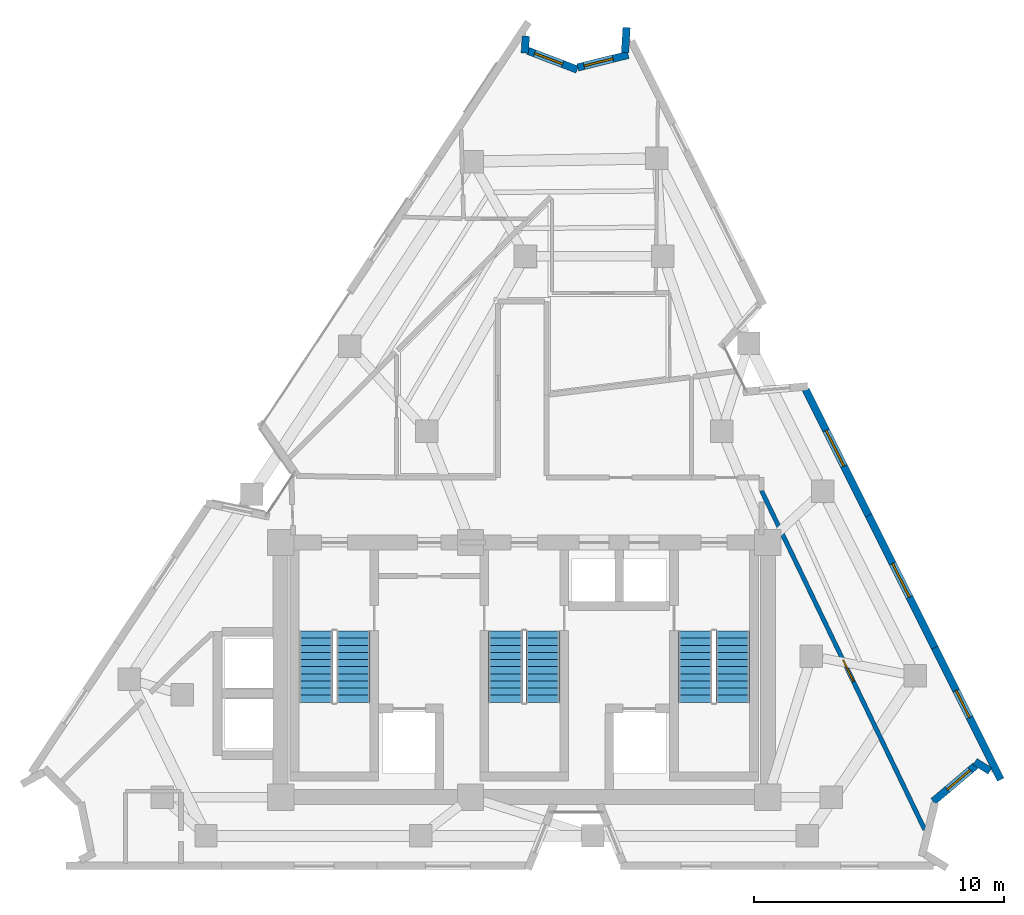
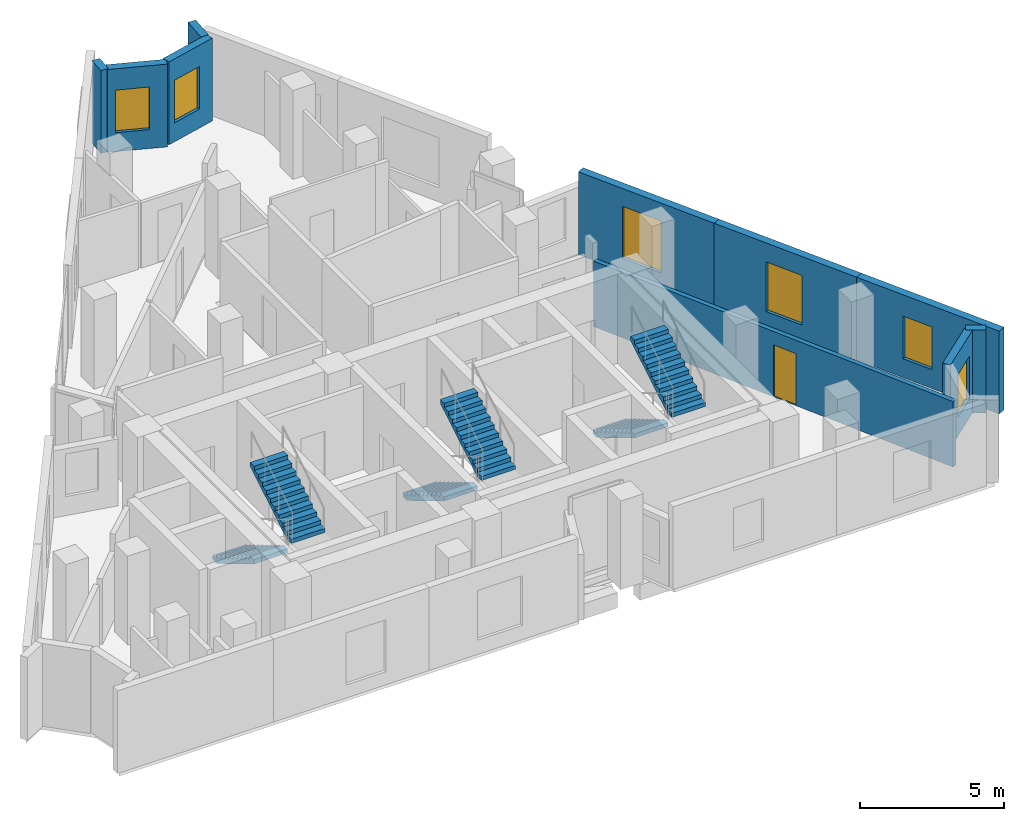
# One storey, part 7 of 8: 10 walls, 6 stair flights, 6 windows, 1 door, 7 openings, 3 elements without a shape of their own.
"""IFC4 building model written with IfcOpenShell, lengths in metres."""

from ifc_helpers import new_model, si_unit, direction, frame, frame_2d, origin, place, context, subcontext, project, spatial, polyline, rectangle, outline, extrude, material, layer, layer_set, type_object, element, fill, aggregate, save


model = new_model("IFC4")

# Units and contexts
model_context = context("Model", 3, precision=1e-05, world=origin(), true_north=direction((0.0, 1.0)))
body_context = subcontext(model_context, "Body", "Model", "MODEL_VIEW")
ifc_project = project(units=[si_unit("LENGTHUNIT", "METRE"), si_unit("AREAUNIT", "SQUARE_METRE"), si_unit("VOLUMEUNIT", "CUBIC_METRE"), si_unit("PLANEANGLEUNIT", "RADIAN"), si_unit("MASSUNIT", "GRAM", prefix="KILO")], contexts=[model_context])

# Site, building, storey
site_placement = place(None, origin())
site = spatial("IfcSite", under=ifc_project, at=site_placement, CompositionType="ELEMENT")
building_placement = place(site_placement, origin())
building = spatial("IfcBuilding", under=site, at=building_placement, Name="Almagre Mirador Tower", CompositionType="ELEMENT")
storey_placement = place(building_placement, frame((0.0, 0.0, 263.25)))
storey = spatial("IfcBuildingStorey", under=building, at=storey_placement, Name="L68", CompositionType="ELEMENT", Elevation=263.25)

# Wall
ifc_material_1 = material(Name="Precast concrete C50/60", Category="concrete")
ifc_layer_1 = layer(ifc_material_1, 0.300048828125)
ifc_layer_set_1 = layer_set([ifc_layer_1], Name="Precast concrete C50/60")
wall_type_1 = type_object("IfcWallType", Name="WAL-EXT-300", PredefinedType="SOLIDWALL", material=ifc_layer_set_1)
wall_1_placement = place(storey_placement, frame((37.364990234375, 35.020751953125, 0.0), z_axis=(0.0, 0.0, 1.0), x_axis=(-0.060624262888, -0.998160657785, 0.0)))
element("IfcWall", 1, at=wall_1_placement, inside=storey, type_object=wall_type_1, Name="L68 expressed almagre precast frame wall 05", PredefinedType="SOLIDWALL", context=body_context, shape_type="SweptSolid", body=[
    extrude(rectangle(XDim=0.6845703125, YDim=0.300048828125, at=frame_2d((0.34228515625, 0.0))), origin(), (0.0, 0.0, 1.0), 3.5),
])

# Wall, opening, window
wall_2_placement = place(storey_placement, frame((37.45361328125, 34.4306640625, 0.0), z_axis=(0.0, 0.0, 1.0), x_axis=(0.934285742141, -0.356525107155, 0.0)))
wall_2 = element("IfcWall", 2, at=wall_2_placement, inside=storey, type_object=wall_type_1, Name="L68 expressed almagre precast frame wall 06", PredefinedType="SOLIDWALL", context=body_context, shape_type="SweptSolid", body=[
    extrude(rectangle(XDim=2.107666015625, YDim=0.300048828125, at=frame_2d((1.0537109375, 0.0))), origin(), (0.0, 0.0, 1.0), 3.5),
])
opening_1_placement = place(wall_2_placement, frame((0.280029296875, 0.0, 0.800048828125)))
opening_1 = element("IfcOpeningElement", 3, at=opening_1_placement, cuts=wall_2, Name="Opening WN-04", PredefinedType="OPENING", context=body_context, shape_type="SweptSolid", body=[
    extrude(rectangle(XDim=1.199951171875, YDim=1.800048828125, at=frame_2d((0.60009765625, 0.89990234375))), frame((0.0, 0.159902, 0.0), z_axis=(0.0, -1.0, 0.0), x_axis=(1.0, 0.0, 0.0)), (0.0, 0.0, 1.0), 0.320049),
])
ifc_material_2 = material(Name="Dark solar-control laminated hurricane glass", Category="glass")
window_type_1 = type_object("IfcWindowType", Name="WIN-1200X1800", PartitioningType="SINGLE_PANEL", PredefinedType="WINDOW", material=ifc_material_2)
window_1_placement = place(opening_1_placement, origin())
window_1 = element("IfcWindow", 4, at=window_1_placement, inside=storey, type_object=window_type_1, Name="L68 recessed hurricane window L68-UH-ST", OverallHeight=1.800048828125, OverallWidth=1.199951171875, PartitioningType="SINGLE_PANEL", PredefinedType="WINDOW", context=body_context, shape_type="SweptSolid", body=[
    extrude(rectangle(XDim=1.199951171875, YDim=1.800048828125, at=frame_2d((0.60009765625, 0.89990234375))), frame((0.0, 0.030029296875, 0.0), z_axis=(0.0, -1.0, 0.0), x_axis=(1.0, 0.0, 0.0)), (0.0, 0.0, 1.0), 0.06005859375),
])
fill(opening_1, window_1)

wall_3_placement = place(storey_placement, frame((39.4423828125, 33.766357421875, 0.0), z_axis=(0.0, 0.0, 1.0), x_axis=(0.970636719037, 0.240550118805, 0.0)))
wall_3 = element("IfcWall", 5, at=wall_3_placement, inside=storey, type_object=wall_type_1, Name="L68 expressed almagre precast frame wall 07", PredefinedType="SOLIDWALL", context=body_context, shape_type="SweptSolid", body=[
    extrude(rectangle(XDim=2.083740234375, YDim=0.300048828125, at=frame_2d((1.0419921875, 0.0))), origin(), (0.0, 0.0, 1.0), 3.5),
])
opening_2_placement = place(wall_3_placement, frame((0.2548828125, 0.0, 0.800048828125)))
opening_2 = element("IfcOpeningElement", 6, at=opening_2_placement, cuts=wall_3, Name="Opening WN-04", PredefinedType="OPENING", context=body_context, shape_type="SweptSolid", body=[
    extrude(rectangle(XDim=1.199951171875, YDim=1.800048828125, at=frame_2d((0.60009765625, 0.89990234375))), frame((0.0, 0.159902, 0.0), z_axis=(0.0, -1.0, 0.0), x_axis=(1.0, 0.0, 0.0)), (0.0, 0.0, 1.0), 0.320049),
])
window_2_placement = place(opening_2_placement, origin())
window_2 = element("IfcWindow", 7, at=window_2_placement, inside=storey, type_object=window_type_1, Name="L68 recessed hurricane window L68-UH-ST", OverallHeight=1.800048828125, OverallWidth=1.199951171875, PartitioningType="SINGLE_PANEL", PredefinedType="WINDOW", context=body_context, shape_type="SweptSolid", body=[
    extrude(rectangle(XDim=1.199951171875, YDim=1.800048828125, at=frame_2d((0.60009765625, 0.89990234375))), frame((0.0, 0.030029296875, 0.0), z_axis=(0.0, -1.0, 0.0), x_axis=(1.0, 0.0, 0.0)), (0.0, 0.0, 1.0), 0.06005859375),
])
fill(opening_2, window_2)

# Wall
wall_4_placement = place(storey_placement, frame((41.3369140625, 34.36376953125, 0.0), z_axis=(0.0, 0.0, 1.0), x_axis=(0.060554036278, 0.998164920587, 0.0)))
element("IfcWall", 8, at=wall_4_placement, inside=storey, type_object=wall_type_1, Name="L68 expressed almagre precast frame wall 08", PredefinedType="SOLIDWALL", context=body_context, shape_type="SweptSolid", body=[
    extrude(rectangle(XDim=1.0, YDim=0.300048828125, at=frame_2d((0.5, 0.0))), origin(), (0.0, 0.0, 1.0), 3.5),
])

# Wall, opening, window
wall_5_placement = place(storey_placement, frame((48.56640625, 20.8671875, 0.0), z_axis=(0.0, 0.0, 1.0), x_axis=(0.447230923232, -0.894418526924, 0.0)))
wall_5 = element("IfcWall", 9, at=wall_5_placement, inside=storey, type_object=wall_type_1, Name="L68 expressed almagre precast frame wall 13", PredefinedType="SOLIDWALL", context=body_context, shape_type="SweptSolid", body=[
    extrude(rectangle(XDim=5.6357421875, YDim=0.300048828125, at=frame_2d((2.81787109375, 0.0))), origin(), (0.0, 0.0, 1.0), 3.5),
])
opening_3_placement = place(wall_5_placement, frame((1.824951171875, 0.0, 0.550048828125)))
opening_3 = element("IfcOpeningElement", 10, at=opening_3_placement, cuts=wall_5, Name="Opening WN-06", PredefinedType="OPENING", context=body_context, shape_type="SweptSolid", body=[
    extrude(rectangle(XDim=1.60009765625, YDim=2.199951171875, at=frame_2d((0.800048828125, 1.10009765625))), frame((0.0, 0.159902, 0.0), z_axis=(0.0, -1.0, 0.0), x_axis=(1.0, 0.0, 0.0)), (0.0, 0.0, 1.0), 0.320049),
])
ifc_material_3 = material(Name="Dark solar-control laminated hurricane glass", Category="glass")
window_type_2 = type_object("IfcWindowType", Name="WIN-1600X2200", PartitioningType="DOUBLE_PANEL_VERTICAL", PredefinedType="WINDOW", material=ifc_material_3)
window_3_placement = place(opening_3_placement, origin())
window_3 = element("IfcWindow", 11, at=window_3_placement, inside=storey, type_object=window_type_2, Name="L68 recessed hurricane window L68-RST-E", OverallHeight=2.199951171875, OverallWidth=1.60009765625, PartitioningType="SINGLE_PANEL", PredefinedType="WINDOW", context=body_context, shape_type="SweptSolid", body=[
    extrude(rectangle(XDim=1.60009765625, YDim=2.199951171875, at=frame_2d((0.800048828125, 1.10009765625))), frame((0.0, 0.030029296875, 0.0), z_axis=(0.0, -1.0, 0.0), x_axis=(1.0, 0.0, 0.0)), (0.0, 0.0, 1.0), 0.06005859375),
])
fill(opening_3, window_3)

wall_6_placement = place(storey_placement, frame((51.0869140625, 15.826416015625, 0.0), z_axis=(0.0, 0.0, 1.0), x_axis=(0.447197073873, -0.894435451623, 0.0)))
wall_6 = element("IfcWall", 12, at=wall_6_placement, inside=storey, type_object=wall_type_1, Name="L68 expressed almagre precast frame wall 14", PredefinedType="SOLIDWALL", context=body_context, shape_type="SweptSolid", body=[
    extrude(rectangle(XDim=5.910888671875, YDim=0.300048828125, at=frame_2d((2.95556640625, 0.0))), origin(), (0.0, 0.0, 1.0), 3.5),
])
opening_4_placement = place(wall_6_placement, frame((2.14990234375, 0.0, 0.60009765625)))
opening_4 = element("IfcOpeningElement", 13, at=opening_4_placement, cuts=wall_6, Name="Opening WN-03", PredefinedType="OPENING", context=body_context, shape_type="SweptSolid", body=[
    extrude(rectangle(XDim=1.5, YDim=2.10009765625, at=frame_2d((0.75, 1.050048828125))), frame((0.0, 0.159902, 0.0), z_axis=(0.0, -1.0, 0.0), x_axis=(1.0, 0.0, 0.0)), (0.0, 0.0, 1.0), 0.320049),
])
ifc_material_4 = material(Name="Dark solar-control laminated hurricane glass", Category="glass")
window_type_3 = type_object("IfcWindowType", Name="WIN-1500X2100", PartitioningType="DOUBLE_PANEL_VERTICAL", PredefinedType="WINDOW", material=ifc_material_4)
window_4_placement = place(opening_4_placement, origin())
window_4 = element("IfcWindow", 14, at=window_4_placement, inside=storey, type_object=window_type_3, Name="L68 recessed hurricane window L68-RST-E", OverallHeight=2.10009765625, OverallWidth=1.5, PartitioningType="SINGLE_PANEL", PredefinedType="WINDOW", context=body_context, shape_type="SweptSolid", body=[
    extrude(rectangle(XDim=1.5, YDim=2.10009765625, at=frame_2d((0.75, 1.050048828125))), frame((0.0, 0.030029296875, 0.0), z_axis=(0.0, -1.0, 0.0), x_axis=(1.0, 0.0, 0.0)), (0.0, 0.0, 1.0), 0.06005859375),
])
fill(opening_4, window_4)

wall_7_placement = place(storey_placement, frame((53.730224609375, 10.53955078125, 0.0), z_axis=(0.0, 0.0, 1.0), x_axis=(0.447197073873, -0.894435451623, 0.0)))
wall_7 = element("IfcWall", 15, at=wall_7_placement, inside=storey, type_object=wall_type_1, Name="L68 expressed almagre precast frame wall 15", PredefinedType="SOLIDWALL", context=body_context, shape_type="SweptSolid", body=[
    extrude(rectangle(XDim=5.910888671875, YDim=0.300048828125, at=frame_2d((2.95556640625, 0.0))), origin(), (0.0, 0.0, 1.0), 3.5),
])
opening_5_placement = place(wall_7_placement, frame((1.925048828125, 0.0, 0.800048828125)))
opening_5 = element("IfcOpeningElement", 16, at=opening_5_placement, cuts=wall_7, Name="Opening WN-04", PredefinedType="OPENING", context=body_context, shape_type="SweptSolid", body=[
    extrude(rectangle(XDim=1.199951171875, YDim=1.800048828125, at=frame_2d((0.60009765625, 0.89990234375))), frame((0.0, 0.159902, 0.0), z_axis=(0.0, -1.0, 0.0), x_axis=(1.0, 0.0, 0.0)), (0.0, 0.0, 1.0), 0.320049),
])
window_5_placement = place(opening_5_placement, origin())
window_5 = element("IfcWindow", 17, at=window_5_placement, inside=storey, type_object=window_type_1, Name="L68 recessed hurricane window L68-RST-E", OverallHeight=1.800048828125, OverallWidth=1.199951171875, PartitioningType="SINGLE_PANEL", PredefinedType="WINDOW", context=body_context, shape_type="SweptSolid", body=[
    extrude(rectangle(XDim=1.199951171875, YDim=1.800048828125, at=frame_2d((0.60009765625, 0.89990234375))), frame((0.0, 0.030029296875, 0.0), z_axis=(0.0, -1.0, 0.0), x_axis=(1.0, 0.0, 0.0)), (0.0, 0.0, 1.0), 0.06005859375),
])
fill(opening_5, window_5)

# Wall
wall_8_placement = place(storey_placement, frame((55.949462890625, 5.601318359375, 0.0), z_axis=(0.0, 0.0, 1.0), x_axis=(-0.850788886824, 0.525507630827, 0.0)))
element("IfcWall", 18, at=wall_8_placement, inside=storey, type_object=wall_type_1, Name="L68 expressed almagre precast frame wall 16", PredefinedType="SOLIDWALL", context=body_context, shape_type="SweptSolid", body=[
    extrude(rectangle(XDim=0.704833984375, YDim=0.300048828125, at=frame_2d((0.3525390625, 0.0))), origin(), (0.0, 0.0, 1.0), 3.5),
])

# Wall, opening, window
wall_9_placement = place(storey_placement, frame((55.36962890625, 5.814208984375, 0.0), z_axis=(0.0, 0.0, 1.0), x_axis=(-0.76399862009, -0.645217876768, 0.0)))
wall_9 = element("IfcWall", 19, at=wall_9_placement, inside=storey, type_object=wall_type_1, Name="L68 expressed almagre precast frame wall 17", PredefinedType="SOLIDWALL", context=body_context, shape_type="SweptSolid", body=[
    extrude(rectangle(XDim=2.221923828125, YDim=0.300048828125, at=frame_2d((1.11083984375, 0.0))), origin(), (0.0, 0.0, 1.0), 3.5),
])
opening_6_placement = place(wall_9_placement, frame((0.280029296875, 0.0, 0.800048828125)))
opening_6 = element("IfcOpeningElement", 20, at=opening_6_placement, cuts=wall_9, Name="Opening WN-04", PredefinedType="OPENING", context=body_context, shape_type="SweptSolid", body=[
    extrude(rectangle(XDim=1.199951171875, YDim=1.800048828125, at=frame_2d((0.60009765625, 0.89990234375))), frame((0.0, 0.159902, 0.0), z_axis=(0.0, -1.0, 0.0), x_axis=(1.0, 0.0, 0.0)), (0.0, 0.0, 1.0), 0.320049),
])
window_6_placement = place(opening_6_placement, origin())
window_6 = element("IfcWindow", 21, at=window_6_placement, inside=storey, type_object=window_type_1, Name="L68 recessed hurricane window L68-RST-E", OverallHeight=1.800048828125, OverallWidth=1.199951171875, PartitioningType="SINGLE_PANEL", PredefinedType="WINDOW", context=body_context, shape_type="SweptSolid", body=[
    extrude(rectangle(XDim=1.199951171875, YDim=1.800048828125, at=frame_2d((0.60009765625, 0.89990234375))), frame((0.0, 0.030029296875, 0.0), z_axis=(0.0, -1.0, 0.0), x_axis=(1.0, 0.0, 0.0)), (0.0, 0.0, 1.0), 0.06005859375),
])
fill(opening_6, window_6)

# Wall, opening, door
ifc_material_5 = material(Name="Gypsum acoustic stud partition", Category="other")
ifc_layer_2 = layer(ifc_material_5, 0.175048828125)
ifc_layer_set_2 = layer_set([ifc_layer_2], Name="Gypsum acoustic stud partition")
wall_type_2 = type_object("IfcWallType", Name="WAL-PRT-175-AC", PredefinedType="PARTITIONING", material=ifc_layer_set_2)
wall_10_placement = place(storey_placement, frame((53.333984375, 3.2490234375, 0.0), z_axis=(0.0, 0.0, 1.0), x_axis=(-0.433800998141, 0.901008709176, 0.0)))
wall_10 = element("IfcWall", 22, at=wall_10_placement, inside=storey, type_object=wall_type_2, Name="L68 interior partition 024", PredefinedType="PARTITIONING", context=body_context, shape_type="SweptSolid", body=[
    extrude(rectangle(XDim=15.06201171875, YDim=0.175048828125, at=frame_2d((7.531005859375, 0.0))), origin(), (0.0, 0.0, 1.0), 2.763916015625),
])
opening_7_placement = place(wall_10_placement, frame((6.57958984375, 0.0, 0.0)))
opening_7 = element("IfcOpeningElement", 23, at=opening_7_placement, cuts=wall_10, Name="Opening UD-01", PredefinedType="OPENING", context=body_context, shape_type="SweptSolid", body=[
    extrude(rectangle(XDim=0.949951171875, YDim=2.199951171875, at=frame_2d((0.47509765625, 1.10009765625))), frame((0.0, 0.097402, 0.0), z_axis=(0.0, -1.0, 0.0), x_axis=(1.0, 0.0, 0.0)), (0.0, 0.0, 1.0), 0.195049),
])
ifc_material_6 = material(Name="Solid American walnut timber", Category="wood")
door_type = type_object("IfcDoorType", Name="DOR-UNR-950X2200", OperationType="NOTDEFINED", PredefinedType="DOOR", material=ifc_material_6)
door_placement = place(opening_7_placement, origin())
door = element("IfcDoor", 24, at=door_placement, inside=storey, type_object=door_type, Name="DR-2087 L68 interior door L68-RST-C to L68-RST-E", OperationType="SINGLE_SWING_LEFT", OverallHeight=2.199951171875, OverallWidth=0.949951171875, PredefinedType="DOOR", context=body_context, shape_type="SweptSolid", body=[
    extrude(rectangle(XDim=0.949951171875, YDim=2.199951171875, at=frame_2d((0.47509765625, 1.10009765625))), frame((0.0, 0.02490234375, 0.0), z_axis=(0.0, -1.0, 0.0), x_axis=(1.0, 0.0, 0.0)), (0.0, 0.0, 1.0), 0.050048828125),
])
fill(opening_7, door)

# Stair, stair flights
ifc_material_7 = material(Name="Concrete C45/55", Category="concrete")
stair_type = type_object("IfcStairType", Name="STR-DL-3750", PredefinedType="HALF_TURN_STAIR", material=ifc_material_7)
stair_1_placement = place(storey_placement, origin())
stair_1 = element("IfcStair", 25, at=stair_1_placement, inside=storey, type_object=stair_type, Name="L68 Protected exit stair ST-1", PredefinedType="HALF_TURN_STAIR")
ifc_material_8 = material(Name="Concrete C45/55", Category="concrete")
stair_flight_type = type_object("IfcStairFlightType", Name="FLT-DL-3750", PredefinedType="STRAIGHT", material=ifc_material_8)
stair_flight_1_placement = place(storey_placement, frame((28.949951171875, 11.199951171875, 0.0), z_axis=(0.0, 0.0, 1.0), x_axis=(0.0, -1.0, 0.0)))
stair_flight_1 = element("IfcStairFlight", 26, at=stair_flight_1_placement, type_object=stair_flight_type, Name="ST-1 flight 1", NumberOfRisers=11, NumberOfTreads=10, PredefinedType="STRAIGHT", RiserHeight=0.170454545, TreadLength=0.285, context=body_context, shape_type="SweptSolid", body=[
    extrude(outline(polyline([(0.0, 0.0), (0.0, 0.17041015625), (0.284912109375, 0.17041015625), (0.284912109375, 0.3408203125), (0.570068359375, 0.3408203125), (0.570068359375, 0.511474609375), (0.85498046875, 0.511474609375), (0.85498046875, 0.681884765625), (1.139892578125, 0.681884765625), (1.139892578125, 0.852294921875), (1.425048828125, 0.852294921875), (1.425048828125, 1.022705078125), (1.7099609375, 1.022705078125), (1.7099609375, 1.193115234375), (1.9951171875, 1.193115234375), (1.9951171875, 1.363525390625), (2.280029296875, 1.363525390625), (2.280029296875, 1.5341796875), (2.56494140625, 1.5341796875), (2.56494140625, 1.70458984375), (2.85009765625, 1.70458984375), (2.85009765625, 1.875), (2.85009765625, 1.52978515625), (0.2919921875, 0.0), (0.0, 0.0)])), frame((0.0, 0.675048828125, 0.0), z_axis=(0.0, -1.0, 0.0), x_axis=(1.0, 0.0, 0.0)), (0.0, 0.0, 1.0), 1.35009765625),
])
stair_flight_2_placement = place(storey_placement, frame((30.449951171875, 8.35009765625, 1.875), z_axis=(0.0, 0.0, 1.0), x_axis=(0.0, 1.0, 0.0)))
stair_flight_2 = element("IfcStairFlight", 27, at=stair_flight_2_placement, type_object=stair_flight_type, Name="ST-1 flight 2", NumberOfRisers=11, NumberOfTreads=10, PredefinedType="STRAIGHT", RiserHeight=0.170454545, TreadLength=0.285, context=body_context, shape_type="SweptSolid", body=[
    extrude(outline(polyline([(0.0, 0.0), (0.0, 0.17041015625), (0.284912109375, 0.17041015625), (0.284912109375, 0.3408203125), (0.570068359375, 0.3408203125), (0.570068359375, 0.511474609375), (0.85498046875, 0.511474609375), (0.85498046875, 0.681884765625), (1.139892578125, 0.681884765625), (1.139892578125, 0.852294921875), (1.425048828125, 0.852294921875), (1.425048828125, 1.022705078125), (1.7099609375, 1.022705078125), (1.7099609375, 1.193115234375), (1.9951171875, 1.193115234375), (1.9951171875, 1.363525390625), (2.280029296875, 1.363525390625), (2.280029296875, 1.5341796875), (2.56494140625, 1.5341796875), (2.56494140625, 1.70458984375), (2.85009765625, 1.70458984375), (2.85009765625, 1.875), (2.85009765625, 1.52978515625), (0.2919921875, 0.0), (0.0, 0.0)])), frame((0.0, 0.675048828125, 0.0), z_axis=(0.0, -1.0, 0.0), x_axis=(1.0, 0.0, 0.0)), (0.0, 0.0, 1.0), 1.35009765625),
])
aggregate(stair_1, [stair_flight_1, stair_flight_2])

stair_2_placement = place(storey_placement, origin())
stair_2 = element("IfcStair", 28, at=stair_2_placement, inside=storey, type_object=stair_type, Name="L68 Protected exit stair ST-2", PredefinedType="HALF_TURN_STAIR")
stair_flight_3_placement = place(storey_placement, frame((36.550048828125, 11.199951171875, 0.0), z_axis=(0.0, 0.0, 1.0), x_axis=(0.0, -1.0, 0.0)))
stair_flight_3 = element("IfcStairFlight", 29, at=stair_flight_3_placement, type_object=stair_flight_type, Name="ST-2 flight 1", NumberOfRisers=11, NumberOfTreads=10, PredefinedType="STRAIGHT", RiserHeight=0.170454545, TreadLength=0.285, context=body_context, shape_type="SweptSolid", body=[
    extrude(outline(polyline([(0.0, 0.0), (0.0, 0.17041015625), (0.284912109375, 0.17041015625), (0.284912109375, 0.3408203125), (0.570068359375, 0.3408203125), (0.570068359375, 0.511474609375), (0.85498046875, 0.511474609375), (0.85498046875, 0.681884765625), (1.139892578125, 0.681884765625), (1.139892578125, 0.852294921875), (1.425048828125, 0.852294921875), (1.425048828125, 1.022705078125), (1.7099609375, 1.022705078125), (1.7099609375, 1.193115234375), (1.9951171875, 1.193115234375), (1.9951171875, 1.363525390625), (2.280029296875, 1.363525390625), (2.280029296875, 1.5341796875), (2.56494140625, 1.5341796875), (2.56494140625, 1.70458984375), (2.85009765625, 1.70458984375), (2.85009765625, 1.875), (2.85009765625, 1.52978515625), (0.2919921875, 0.0), (0.0, 0.0)])), frame((0.0, 0.675048828125, 0.0), z_axis=(0.0, -1.0, 0.0), x_axis=(1.0, 0.0, 0.0)), (0.0, 0.0, 1.0), 1.35009765625),
])
stair_flight_4_placement = place(storey_placement, frame((38.050048828125, 8.35009765625, 1.875), z_axis=(0.0, 0.0, 1.0), x_axis=(0.0, 1.0, 0.0)))
stair_flight_4 = element("IfcStairFlight", 30, at=stair_flight_4_placement, type_object=stair_flight_type, Name="ST-2 flight 2", NumberOfRisers=11, NumberOfTreads=10, PredefinedType="STRAIGHT", RiserHeight=0.170454545, TreadLength=0.285, context=body_context, shape_type="SweptSolid", body=[
    extrude(outline(polyline([(0.0, 0.0), (0.0, 0.17041015625), (0.284912109375, 0.17041015625), (0.284912109375, 0.3408203125), (0.570068359375, 0.3408203125), (0.570068359375, 0.511474609375), (0.85498046875, 0.511474609375), (0.85498046875, 0.681884765625), (1.139892578125, 0.681884765625), (1.139892578125, 0.852294921875), (1.425048828125, 0.852294921875), (1.425048828125, 1.022705078125), (1.7099609375, 1.022705078125), (1.7099609375, 1.193115234375), (1.9951171875, 1.193115234375), (1.9951171875, 1.363525390625), (2.280029296875, 1.363525390625), (2.280029296875, 1.5341796875), (2.56494140625, 1.5341796875), (2.56494140625, 1.70458984375), (2.85009765625, 1.70458984375), (2.85009765625, 1.875), (2.85009765625, 1.52978515625), (0.2919921875, 0.0), (0.0, 0.0)])), frame((0.0, 0.675048828125, 0.0), z_axis=(0.0, -1.0, 0.0), x_axis=(1.0, 0.0, 0.0)), (0.0, 0.0, 1.0), 1.35009765625),
])
aggregate(stair_2, [stair_flight_3, stair_flight_4])

stair_3_placement = place(storey_placement, origin())
stair_3 = element("IfcStair", 31, at=stair_3_placement, inside=storey, type_object=stair_type, Name="L68 Protected exit stair ST-3", PredefinedType="HALF_TURN_STAIR")
stair_flight_5_placement = place(storey_placement, frame((44.14990234375, 11.199951171875, 0.0), z_axis=(0.0, 0.0, 1.0), x_axis=(0.0, -1.0, 0.0)))
stair_flight_5 = element("IfcStairFlight", 32, at=stair_flight_5_placement, type_object=stair_flight_type, Name="ST-3 flight 1", NumberOfRisers=11, NumberOfTreads=10, PredefinedType="STRAIGHT", RiserHeight=0.170454545, TreadLength=0.285, context=body_context, shape_type="SweptSolid", body=[
    extrude(outline(polyline([(0.0, 0.0), (0.0, 0.17041015625), (0.284912109375, 0.17041015625), (0.284912109375, 0.3408203125), (0.570068359375, 0.3408203125), (0.570068359375, 0.511474609375), (0.85498046875, 0.511474609375), (0.85498046875, 0.681884765625), (1.139892578125, 0.681884765625), (1.139892578125, 0.852294921875), (1.425048828125, 0.852294921875), (1.425048828125, 1.022705078125), (1.7099609375, 1.022705078125), (1.7099609375, 1.193115234375), (1.9951171875, 1.193115234375), (1.9951171875, 1.363525390625), (2.280029296875, 1.363525390625), (2.280029296875, 1.5341796875), (2.56494140625, 1.5341796875), (2.56494140625, 1.70458984375), (2.85009765625, 1.70458984375), (2.85009765625, 1.875), (2.85009765625, 1.52978515625), (0.2919921875, 0.0), (0.0, 0.0)])), frame((0.0, 0.675048828125, 0.0), z_axis=(0.0, -1.0, 0.0), x_axis=(1.0, 0.0, 0.0)), (0.0, 0.0, 1.0), 1.35009765625),
])
stair_flight_6_placement = place(storey_placement, frame((45.64990234375, 8.35009765625, 1.875), z_axis=(0.0, 0.0, 1.0), x_axis=(0.0, 1.0, 0.0)))
stair_flight_6 = element("IfcStairFlight", 33, at=stair_flight_6_placement, type_object=stair_flight_type, Name="ST-3 flight 2", NumberOfRisers=11, NumberOfTreads=10, PredefinedType="STRAIGHT", RiserHeight=0.170454545, TreadLength=0.285, context=body_context, shape_type="SweptSolid", body=[
    extrude(outline(polyline([(0.0, 0.0), (0.0, 0.17041015625), (0.284912109375, 0.17041015625), (0.284912109375, 0.3408203125), (0.570068359375, 0.3408203125), (0.570068359375, 0.511474609375), (0.85498046875, 0.511474609375), (0.85498046875, 0.681884765625), (1.139892578125, 0.681884765625), (1.139892578125, 0.852294921875), (1.425048828125, 0.852294921875), (1.425048828125, 1.022705078125), (1.7099609375, 1.022705078125), (1.7099609375, 1.193115234375), (1.9951171875, 1.193115234375), (1.9951171875, 1.363525390625), (2.280029296875, 1.363525390625), (2.280029296875, 1.5341796875), (2.56494140625, 1.5341796875), (2.56494140625, 1.70458984375), (2.85009765625, 1.70458984375), (2.85009765625, 1.875), (2.85009765625, 1.52978515625), (0.2919921875, 0.0), (0.0, 0.0)])), frame((0.0, 0.675048828125, 0.0), z_axis=(0.0, -1.0, 0.0), x_axis=(1.0, 0.0, 0.0)), (0.0, 0.0, 1.0), 1.35009765625),
])
aggregate(stair_3, [stair_flight_5, stair_flight_6])

save(model, "model.ifc")
